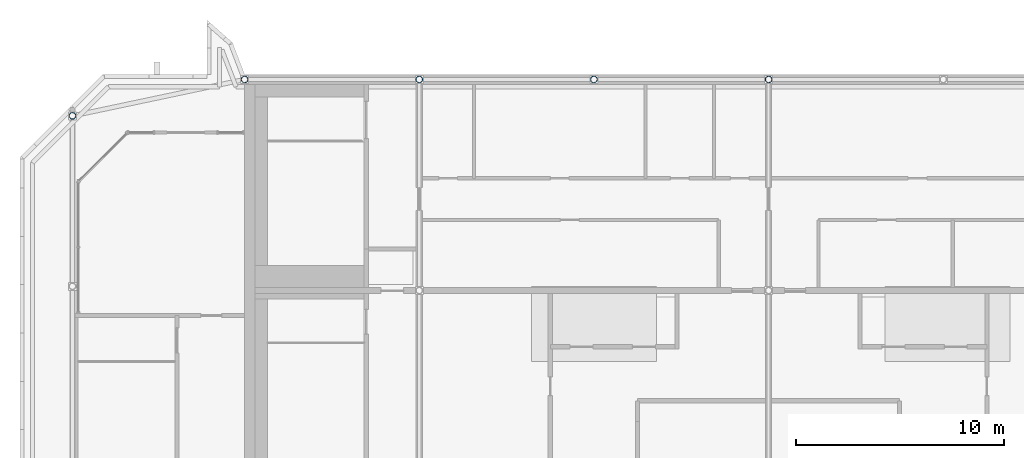
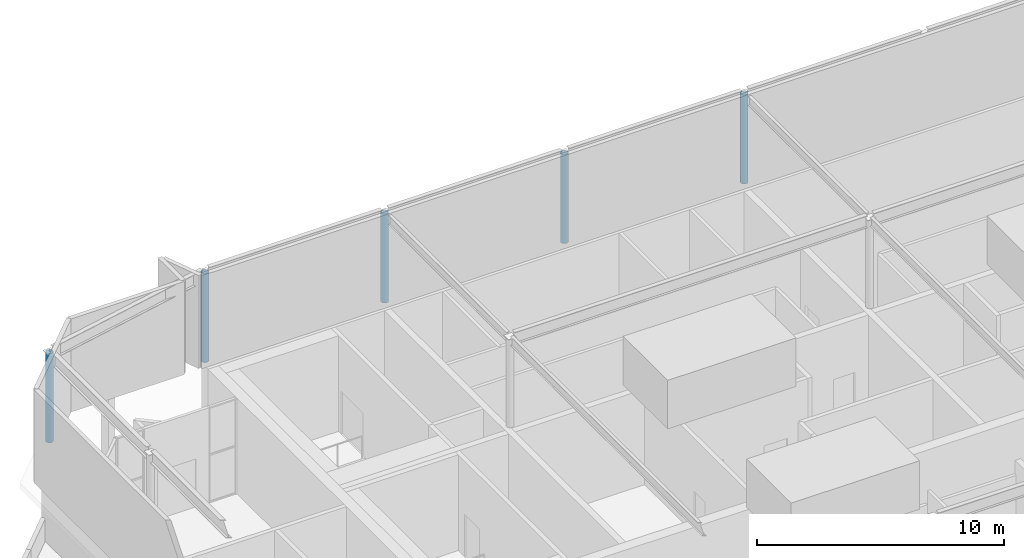
# One storey, part 3 of 25: 5 columns.
"""IFC4 building model written with IfcOpenShell, lengths in metres."""

from ifc_helpers import new_model, si_unit, direction, frame, origin, origin_2d, place, context, subcontext, project, spatial, hollow_circle, extrude, source, transform, mapped, material, material_profile, profile_set, type_object, element, save


model = new_model("IFC4")

# Units and contexts
model_context = context("Model", 3, precision=1e-05, world=origin(), true_north=direction((0.0, 1.0)))
body_context = subcontext(model_context, "Body", "Model", "MODEL_VIEW")
ifc_project = project(units=[si_unit("LENGTHUNIT", "METRE"), si_unit("AREAUNIT", "SQUARE_METRE"), si_unit("VOLUMEUNIT", "CUBIC_METRE"), si_unit("PLANEANGLEUNIT", "RADIAN"), si_unit("MASSUNIT", "GRAM", prefix="KILO")], contexts=[model_context])

# Site, building, storey
site_placement = place(None, origin())
site = spatial("IfcSite", under=ifc_project, at=site_placement, CompositionType="ELEMENT")
building_placement = place(site_placement, origin())
building = spatial("IfcBuilding", under=site, at=building_placement, Name="Vanashikhar Sky Hotel", CompositionType="ELEMENT")
storey_placement = place(building_placement, frame((0.0, 0.0, 329.699951171875)))
storey = spatial("IfcBuildingStorey", under=building, at=storey_placement, Name="L78", CompositionType="ELEMENT", Elevation=329.699951171875)

# Columns
ifc_material = material(Name="Steel S355", Category="steel")
ifc_material_profile = material_profile(ifc_material, hollow_circle(Radius=0.162109375, WallThickness=0.011962890625, at=origin_2d()))
ifc_profile_set = profile_set([ifc_material_profile], Name="CHS 324x12 Steel S355")
column_type = type_object("IfcColumnType", Name="CHS 324x12 Steel S355", PredefinedType="COLUMN", material=ifc_profile_set)
shared_shape = source(origin(), body_context, "Body", "SweptSolid", [
    extrude(hollow_circle(Radius=0.162109375, WallThickness=0.011962890625, at=origin_2d()), origin(), (0.0, 0.0, 1.0), 4.400146484375),
])
for number, where, z_axis, x_axis, name in (
    (1, (25.199951171875, 41.75, 5.0), (0.0, 0.0, 1.0), (1.0, 0.0, 0.0), "CP-L78-R01"),
    (2, (33.60009765625, 41.75, 5.0), (0.0, 0.0, 1.0), (1.0, 0.0, 0.0), "CP-L78-R02"),
    (3, (42.0, 41.75, 5.0), (0.0, 0.0, 1.0), (1.0, 0.0, 0.0), "CP-L78-R03"),
    (4, (50.39990234375, 41.75, 5.0), (0.0, 0.0, 1.0), (1.0, 0.0, 0.0), "CP-L78-R04"),
    (5, (16.925048828125, 40.0, 5.0), (0.0, 0.0, 1.0), (1.0, 0.0, 0.0), "CP-L78-W106"),
):
    element("IfcColumn", number, at=place(storey_placement, frame(where, z_axis=z_axis, x_axis=x_axis)), inside=storey, type_object=column_type, Name=name, PredefinedType="COLUMN", context=body_context, shape_type="MappedRepresentation", body=[
        mapped(shared_shape, transform((0.0, 0.0, 0.0), scale=1.0)),
    ])

save(model, "model.ifc")
